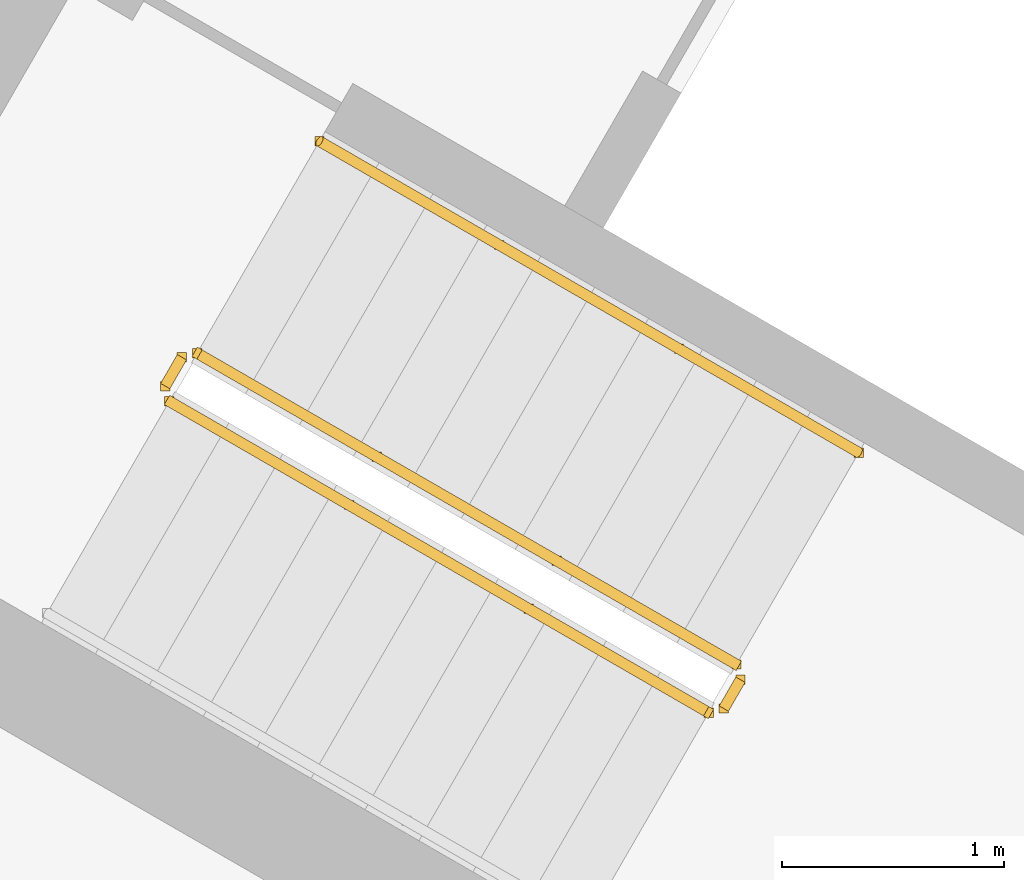
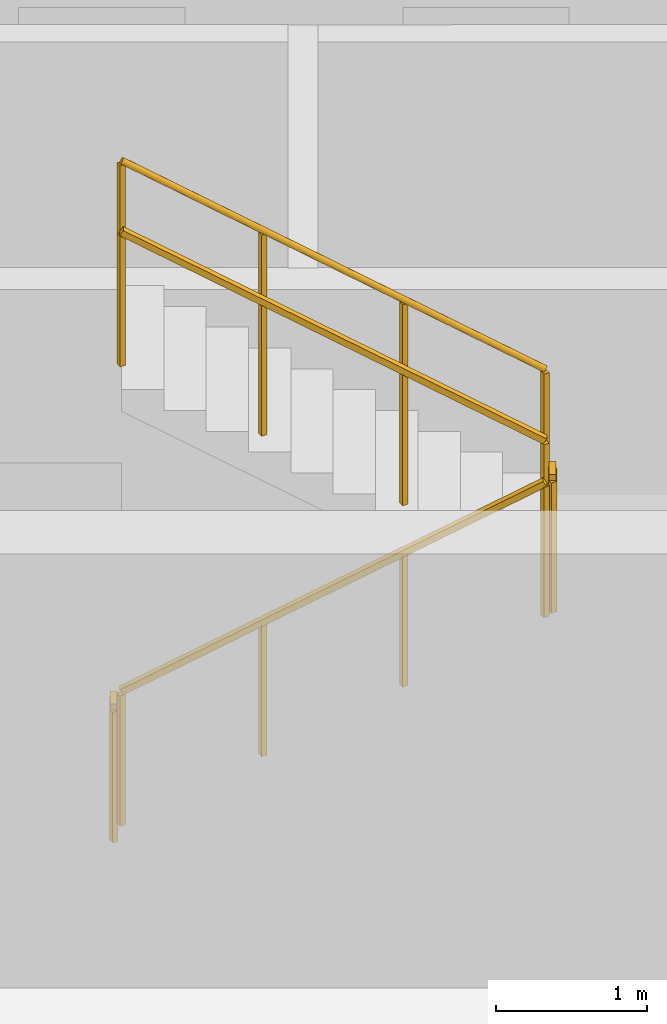
# One storey, part 11 of 13: 5 railings.
"""IFC4 building model written with IfcOpenShell, lengths in metres."""

from ifc_helpers import new_model, si_unit, direction, frame, origin, origin_2d, place, context, subcontext, project, spatial, rectangle, circle, extrude, material, type_object, element, save


model = new_model("IFC4")

# Units and contexts
model_context = context("Model", 3, precision=1e-05, world=origin(), true_north=direction((0.0, 1.0)))
body_context = subcontext(model_context, "Body", "Model", "MODEL_VIEW")
ifc_project = project(units=[si_unit("LENGTHUNIT", "METRE"), si_unit("AREAUNIT", "SQUARE_METRE"), si_unit("VOLUMEUNIT", "CUBIC_METRE"), si_unit("PLANEANGLEUNIT", "RADIAN"), si_unit("MASSUNIT", "GRAM", prefix="KILO")], contexts=[model_context])

# Site, building, storey
site_placement = place(None, origin())
site = spatial("IfcSite", under=ifc_project, at=site_placement, CompositionType="ELEMENT")
building_placement = place(site_placement, origin())
building = spatial("IfcBuilding", under=site, at=building_placement, Name="Apuvela Tower Hotel", CompositionType="ELEMENT")
storey_placement = place(building_placement, frame((0.0, 0.0, 68.699951171875)))
storey = spatial("IfcBuildingStorey", under=building, at=storey_placement, Name="L14", CompositionType="ELEMENT", Elevation=68.699951171875)

# Railings
ifc_material_1 = material(Name="Steel S275 balustrade", Category="steel")
railing_type_1 = type_object("IfcRailingType", Name="COR-GUARD-1100", PredefinedType="GUARDRAIL", material=ifc_material_1)
railing_1_placement = place(storey_placement, frame((10.718994140625, -10.63427734375, 0.168212890625)))
element("IfcRailing", 1, at=railing_1_placement, inside=storey, type_object=railing_type_1, Name="L14 ST3 stair guard 1", PredefinedType="GUARDRAIL", context=body_context, shape_type="SweptSolid", body=[
    extrude(rectangle(XDim=0.048095703125, YDim=0.048095703125, at=origin_2d()), frame((0.0, 0.0, 1.076171875), z_axis=(0.742390482028, -0.42860119049, 0.514934356695), x_axis=(0.49998411664, 0.866034573852, 0.0)), (0.0, 0.0, 1.0), 3.26611328125),
    extrude(rectangle(XDim=0.0419921875, YDim=0.0419921875, at=origin_2d()), origin(), (0.0, 0.0, 1.0), 1.052001953125),
    extrude(rectangle(XDim=0.0419921875, YDim=0.0419921875, at=origin_2d()), frame((0.808349609375, -0.466552734375, 0.560546875)), (0.0, 0.0, 1.0), 1.052001953125),
    extrude(rectangle(XDim=0.0419921875, YDim=0.0419921875, at=origin_2d()), frame((1.616455078125, -0.933349609375, 1.121337890625)), (0.0, 0.0, 1.0), 1.052001953125),
    extrude(rectangle(XDim=0.0419921875, YDim=0.0419921875, at=origin_2d()), frame((2.4248046875, -1.39990234375, 1.681884765625)), (0.0, 0.0, 1.0), 1.052001953125),
])
railing_2_placement = place(storey_placement, frame((13.212158203125, -12.015869140625, 1.85009765625)))
element("IfcRailing", 2, at=railing_2_placement, inside=storey, type_object=railing_type_1, Name="L14 ST3 stair guard 2", PredefinedType="GUARDRAIL", context=body_context, shape_type="SweptSolid", body=[
    extrude(rectangle(XDim=0.048095703125, YDim=0.048095703125, at=origin_2d()), frame((0.0, 0.0, 1.076171875), z_axis=(0.499816412211, 0.866131372301, 0.0), x_axis=(-0.866131372301, 0.499816412211, 0.0)), (0.0, 0.0, 1.0), 0.14990234375),
    extrude(rectangle(XDim=0.0419921875, YDim=0.0419921875, at=origin_2d()), origin(), (0.0, 0.0, 1.0), 1.052001953125),
    extrude(rectangle(XDim=0.0419921875, YDim=0.0419921875, at=origin_2d()), frame((0.074951171875, 0.1298828125, 0.0)), (0.0, 0.0, 1.0), 1.052001953125),
])
railing_3_placement = place(storey_placement, frame((13.268798828125, -11.817626953125, 2.018310546875)))
element("IfcRailing", 3, at=railing_3_placement, inside=storey, type_object=railing_type_1, Name="L14 ST3 stair guard 3", PredefinedType="GUARDRAIL", context=body_context, shape_type="SweptSolid", body=[
    extrude(rectangle(XDim=0.048095703125, YDim=0.048095703125, at=origin_2d()), frame((0.0, 0.0, 1.076171875), z_axis=(-0.74241905619, 0.428617687091, 0.514879426), x_axis=(-0.49998411664, -0.866034573852, 0.0)), (0.0, 0.0, 1.0), 3.26611328125),
    extrude(rectangle(XDim=0.0419921875, YDim=0.0419921875, at=origin_2d()), origin(), (0.0, 0.0, 1.0), 1.052001953125),
    extrude(rectangle(XDim=0.0419921875, YDim=0.0419921875, at=origin_2d()), frame((-0.808349609375, 0.466552734375, 0.560546875)), (0.0, 0.0, 1.0), 1.052001953125),
    extrude(rectangle(XDim=0.0419921875, YDim=0.0419921875, at=origin_2d()), frame((-1.616455078125, 0.933349609375, 1.12109375)), (0.0, 0.0, 1.0), 1.052001953125),
    extrude(rectangle(XDim=0.0419921875, YDim=0.0419921875, at=origin_2d()), frame((-2.4248046875, 1.39990234375, 1.681640625)), (0.0, 0.0, 1.0), 1.052001953125),
])
railing_4_placement = place(storey_placement, frame((10.70068359375, -10.56591796875, 0.0)))
element("IfcRailing", 4, at=railing_4_placement, inside=storey, type_object=railing_type_1, Name="L14 ST3 stair guard 4", PredefinedType="GUARDRAIL", context=body_context, shape_type="SweptSolid", body=[
    extrude(rectangle(XDim=0.048095703125, YDim=0.048095703125, at=origin_2d()), frame((0.0, 0.0, 1.076171875), z_axis=(0.499816412211, 0.866131372301, 0.0), x_axis=(-0.866131372301, 0.499816412211, 0.0)), (0.0, 0.0, 1.0), 0.14990234375),
    extrude(rectangle(XDim=0.0419921875, YDim=0.0419921875, at=origin_2d()), origin(), (0.0, 0.0, 1.0), 1.052001953125),
    extrude(rectangle(XDim=0.0419921875, YDim=0.0419921875, at=origin_2d()), frame((0.074951171875, 0.1298828125, 0.0)), (0.0, 0.0, 1.0), 1.052001953125),
])
ifc_material_2 = material(Name="Stainless steel 316 handrail", Category="steel")
railing_type_2 = type_object("IfcRailingType", Name="COR-HANDRAIL-900", PredefinedType="HANDRAIL", material=ifc_material_2)
railing_5_placement = place(storey_placement, frame((13.81884765625, -10.864990234375, 2.018310546875)))
element("IfcRailing", 5, at=railing_5_placement, inside=storey, type_object=railing_type_2, Name="L14 ST3 stair handrail 2", PredefinedType="HANDRAIL", context=body_context, shape_type="SweptSolid", body=[
    extrude(circle(Radius=0.02392578125, at=origin_2d()), frame((0.0, 0.0, 0.8759765625), z_axis=(-0.74241905619, 0.428617687091, 0.514879426), x_axis=(-0.49998411664, -0.866034573852, 0.0)), (0.0, 0.0, 1.0), 3.26611328125),
    extrude(rectangle(XDim=0.0419921875, YDim=0.0419921875, at=origin_2d()), origin(), (0.0, 0.0, 1.0), 0.851806640625),
    extrude(rectangle(XDim=0.0419921875, YDim=0.0419921875, at=origin_2d()), frame((-0.808349609375, 0.466552734375, 0.560546875)), (0.0, 0.0, 1.0), 0.851806640625),
    extrude(rectangle(XDim=0.0419921875, YDim=0.0419921875, at=origin_2d()), frame((-1.616455078125, 0.933349609375, 1.12109375)), (0.0, 0.0, 1.0), 0.851806640625),
    extrude(rectangle(XDim=0.0419921875, YDim=0.0419921875, at=origin_2d()), frame((-2.4248046875, 1.39990234375, 1.681640625)), (0.0, 0.0, 1.0), 0.851806640625),
])

save(model, "model.ifc")
